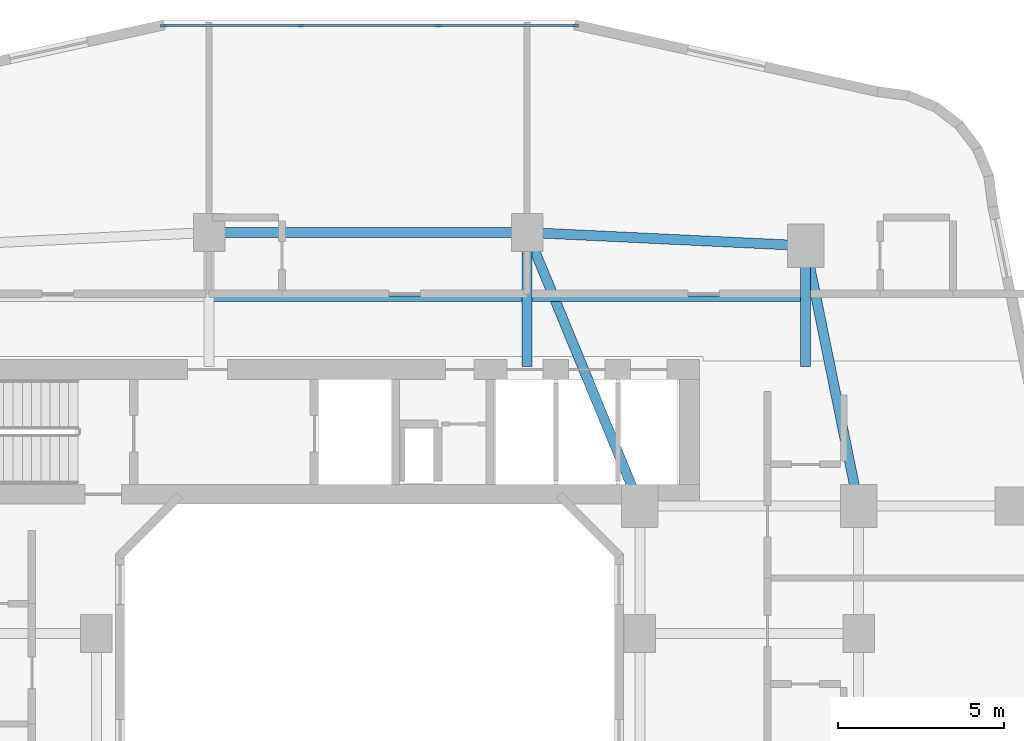
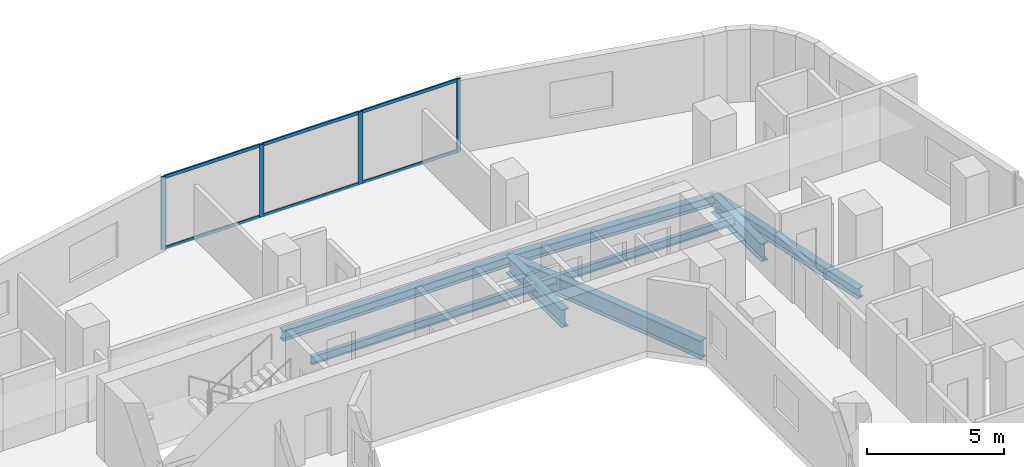
# One storey, part 7 of 27: 10 members, 8 beams, 1 element without a shape of its own.
"""IFC4 building model written with IfcOpenShell, lengths in metres."""

from ifc_helpers import new_model, si_unit, derived_unit, direction, frame, origin, origin_2d, place, context, subcontext, project, spatial, rectangle, i_section, extrude, material, layer, layer_set, material_profile, profile_set, type_object, element, aggregate, save


model = new_model("IFC4")

# Units and contexts
model_context = context("Model", 3, precision=1e-05, world=origin(), true_north=direction((0.0, 1.0)))
body_context = subcontext(model_context, "Body", "Model", "MODEL_VIEW")
ifc_project = project(units=[si_unit("LENGTHUNIT", "METRE"), si_unit("AREAUNIT", "SQUARE_METRE"), si_unit("VOLUMEUNIT", "CUBIC_METRE"), si_unit("PLANEANGLEUNIT", "RADIAN"), si_unit("MASSUNIT", "GRAM", prefix="KILO"), derived_unit("THERMALTRANSMITTANCEUNIT", [(si_unit("POWERUNIT", "WATT"), 1), (si_unit("LENGTHUNIT", "METRE"), -2), (si_unit("THERMODYNAMICTEMPERATUREUNIT", "KELVIN"), -1)])], contexts=[model_context])

# Site, building, storey
site_placement = place(None, origin())
site = spatial("IfcSite", under=ifc_project, at=site_placement, CompositionType="ELEMENT")
building_placement = place(site_placement, origin())
building = spatial("IfcBuilding", under=site, at=building_placement, Name="Kivonza Crest Hotel", CompositionType="ELEMENT")
storey_placement = place(building_placement, frame((0.0, 0.0, 38.0)))
storey = spatial("IfcBuildingStorey", under=building, at=storey_placement, Name="L09", CompositionType="ELEMENT", Elevation=38.0)

# Beams
ifc_material_1 = material(Name="Steel S355", Category="steel")
ifc_material_profile_1 = material_profile(ifc_material_1, i_section(OverallWidth=0.300048828125, OverallDepth=0.449951171875, WebThickness=0.013916015625, FlangeThickness=0.02587890625, FilletRadius=0.027099609375, at=origin_2d()), Name="HEB 450")
ifc_profile_set_1 = profile_set([ifc_material_profile_1], Name="Steel S355")
beam_type_1 = type_object("IfcBeamType", Name="BM-HEB450", PredefinedType="SPANDREL", material=ifc_profile_set_1)
beam_1_placement = place(storey_placement, frame((35.800048828125, 32.35009765625, -0.5048828125), z_axis=(-0.199730733965, 0.979850822273, 0.0), x_axis=(-0.979850822273, -0.199730733965, 0.0)))
element("IfcBeam", 1, at=beam_1_placement, inside=storey, type_object=beam_type_1, Name="Tower T1 L09 perimeter spandrel PNE-NE", PredefinedType="SPANDREL", context=body_context, shape_type="SweptSolid", body=[
    extrude(i_section(OverallWidth=0.300048828125, OverallDepth=0.449951171875, WebThickness=0.013916015625, FlangeThickness=0.02587890625, FilletRadius=0.027099609375, at=origin_2d()), origin(), (0.0, 0.0, 1.0), 8.01123046875),
])
beam_2_placement = place(storey_placement, frame((34.199951171875, 40.199951171875, -0.5048828125), z_axis=(-0.998867283688, 0.047583080799, 0.0), x_axis=(-0.047583080799, -0.998867283688, 0.0)))
element("IfcBeam", 2, at=beam_2_placement, inside=storey, type_object=beam_type_1, Name="Tower T1 L09 perimeter spandrel NE-N2", PredefinedType="SPANDREL", context=body_context, shape_type="SweptSolid", body=[
    extrude(i_section(OverallWidth=0.300048828125, OverallDepth=0.449951171875, WebThickness=0.013916015625, FlangeThickness=0.02587890625, FilletRadius=0.027099609375, at=origin_2d()), origin(), (0.0, 0.0, 1.0), 8.409423828125),
])
beam_3_placement = place(storey_placement, frame((25.800048828125, 40.60009765625, -0.5048828125), z_axis=(-1.0, 0.0, 0.0), x_axis=(0.0, -1.0, 0.0)))
element("IfcBeam", 3, at=beam_3_placement, inside=storey, type_object=beam_type_1, Name="Tower T1 L09 perimeter spandrel N2-N1", PredefinedType="SPANDREL", context=body_context, shape_type="SweptSolid", body=[
    extrude(i_section(OverallWidth=0.300048828125, OverallDepth=0.449951171875, WebThickness=0.013916015625, FlangeThickness=0.02587890625, FilletRadius=0.027099609375, at=origin_2d()), origin(), (0.0, 0.0, 1.0), 9.60009765625),
])
ifc_material_profile_2 = material_profile(ifc_material_1, i_section(OverallWidth=0.300048828125, OverallDepth=0.800048828125, WebThickness=0.017578125, FlangeThickness=0.032958984375, FilletRadius=0.030029296875, at=origin_2d()), Name="HEB 800")
ifc_profile_set_2 = profile_set([ifc_material_profile_2], Name="Steel S355")
beam_type_2 = type_object("IfcBeamType", Name="BM-HEB800", PredefinedType="BEAM", material=ifc_profile_set_2)
beam_4_placement = place(storey_placement, frame((25.800048828125, 40.60009765625, -0.679931640625), z_axis=(0.381022260404, -0.924565864109, 0.0), x_axis=(0.924565864109, 0.381022260404, 0.0)))
element("IfcBeam", 4, at=beam_4_placement, inside=storey, type_object=beam_type_2, Name="Tower T1 L09 primary girder N1-TNE", PredefinedType="BEAM", context=body_context, shape_type="SweptSolid", body=[
    extrude(i_section(OverallWidth=0.300048828125, OverallDepth=0.800048828125, WebThickness=0.017578125, FlangeThickness=0.032958984375, FilletRadius=0.030029296875, at=origin_2d()), origin(), (0.0, 0.0, 1.0), 8.923095703125),
])
beam_5_placement = place(storey_placement, frame((25.800048828125, 40.60009765625, -0.679931640625), z_axis=(0.0, -1.0, 0.0), x_axis=(1.0, 0.0, 0.0)))
element("IfcBeam", 5, at=beam_5_placement, inside=storey, type_object=beam_type_2, Name="Tower T1 L09 radial core girder RN2", PredefinedType="BEAM", context=body_context, shape_type="SweptSolid", body=[
    extrude(i_section(OverallWidth=0.300048828125, OverallDepth=0.800048828125, WebThickness=0.017578125, FlangeThickness=0.032958984375, FilletRadius=0.030029296875, at=origin_2d()), origin(), (0.0, 0.0, 1.0), 4.050048828125),
])
beam_6_placement = place(storey_placement, frame((34.199951171875, 40.199951171875, -0.679931640625), z_axis=(0.0, -1.0, 0.0), x_axis=(1.0, 0.0, 0.0)))
element("IfcBeam", 6, at=beam_6_placement, inside=storey, type_object=beam_type_2, Name="Tower T1 L09 radial core girder RNE", PredefinedType="BEAM", context=body_context, shape_type="SweptSolid", body=[
    extrude(i_section(OverallWidth=0.300048828125, OverallDepth=0.800048828125, WebThickness=0.017578125, FlangeThickness=0.032958984375, FilletRadius=0.030029296875, at=origin_2d()), origin(), (0.0, 0.0, 1.0), 3.64990234375),
])
ifc_material_profile_3 = material_profile(ifc_material_1, i_section(OverallWidth=0.169921875, OverallDepth=0.360107421875, WebThickness=0.008056640625, FlangeThickness=0.0126953125, FilletRadius=0.01806640625, at=origin_2d()), Name="IPE 360")
ifc_profile_set_3 = profile_set([ifc_material_profile_3], Name="Steel S355")
beam_type_3 = type_object("IfcBeamType", Name="BM-IPE360", PredefinedType="JOIST", material=ifc_profile_set_3)
beam_7_placement = place(storey_placement, frame((16.280029296875, 38.60009765625, -0.4599609375), z_axis=(1.0, 0.0, 0.0), x_axis=(0.0, 1.0, 0.0)))
element("IfcBeam", 7, at=beam_7_placement, inside=storey, type_object=beam_type_3, Name="Tower T1 L09 North-Mid floor joist", PredefinedType="JOIST", context=body_context, shape_type="SweptSolid", body=[
    extrude(i_section(OverallWidth=0.169921875, OverallDepth=0.360107421875, WebThickness=0.008056640625, FlangeThickness=0.0126953125, FilletRadius=0.01806640625, at=origin_2d()), origin(), (0.0, 0.0, 1.0), 9.43994140625),
])
beam_8_placement = place(storey_placement, frame((25.8798828125, 38.60009765625, -0.4599609375), z_axis=(1.0, 0.0, 0.0), x_axis=(0.0, 1.0, 0.0)))
element("IfcBeam", 8, at=beam_8_placement, inside=storey, type_object=beam_type_3, Name="Tower T1 L09 North-East floor joist", PredefinedType="JOIST", context=body_context, shape_type="SweptSolid", body=[
    extrude(i_section(OverallWidth=0.169921875, OverallDepth=0.360107421875, WebThickness=0.008056640625, FlangeThickness=0.0126953125, FilletRadius=0.01806640625, at=origin_2d()), origin(), (0.0, 0.0, 1.0), 8.240234375),
])

# Curtain wall, members
ifc_material_2 = material(Name="Anodised bronze aluminium and low-E double glazing", Category="aluminium")
ifc_layer = layer(ifc_material_2, 0.179931640625)
ifc_layer_set = layer_set([ifc_layer], Name="Anodised bronze aluminium and low-E double glazing")
curtain_wall_type = type_object("IfcCurtainWallType", Name="CW-SYS-2", PredefinedType="NOTDEFINED", material=ifc_layer_set)
curtain_wall_placement = place(storey_placement, origin())
curtain_wall = element("IfcCurtainWall", 9, at=curtain_wall_placement, inside=storey, type_object=curtain_wall_type, Name="L09 unitised curtain wall CW-T1-L09-26", PredefinedType="NOTDEFINED")
ifc_material_3 = material(Name="Anodised bronze aluminium", Category="aluminium")
ifc_material_profile_4 = material_profile(ifc_material_3, rectangle(XDim=0.06494140625, YDim=0.179931640625, at=origin_2d()), Name="CW-M 65x180")
ifc_profile_set_4 = profile_set([ifc_material_profile_4], Name="Anodised bronze aluminium")
member_type_1 = type_object("IfcMemberType", Name="CW-MUL-65x180", PredefinedType="MULLION", material=ifc_profile_set_4)
member_1_placement = place(storey_placement, frame((27.255615234375, 46.840087890625, 0.0), z_axis=(0.0, 0.0, 1.0), x_axis=(0.0, -1.0, 0.0)))
member_1 = element("IfcMember", 10, at=member_1_placement, type_object=member_type_1, Name="CW-2 mullion 1", PredefinedType="MULLION", context=body_context, shape_type="SweptSolid", body=[
    extrude(rectangle(XDim=0.06494140625, YDim=0.179931640625, at=origin_2d()), origin(), (0.0, 0.0, 1.0), 3.219970703125),
])
member_2_placement = place(storey_placement, frame((23.12255859375, 46.840087890625, 0.0), z_axis=(0.0, 0.0, 1.0), x_axis=(0.0, -1.0, 0.0)))
member_2 = element("IfcMember", 11, at=member_2_placement, type_object=member_type_1, Name="CW-2 mullion 2", PredefinedType="MULLION", context=body_context, shape_type="SweptSolid", body=[
    extrude(rectangle(XDim=0.06494140625, YDim=0.179931640625, at=origin_2d()), origin(), (0.0, 0.0, 1.0), 3.219970703125),
])
member_3_placement = place(storey_placement, frame((18.957275390625, 46.840087890625, 0.0), z_axis=(0.0, 0.0, 1.0), x_axis=(0.0, -1.0, 0.0)))
member_3 = element("IfcMember", 12, at=member_3_placement, type_object=member_type_1, Name="CW-2 mullion 3", PredefinedType="MULLION", context=body_context, shape_type="SweptSolid", body=[
    extrude(rectangle(XDim=0.06494140625, YDim=0.179931640625, at=origin_2d()), origin(), (0.0, 0.0, 1.0), 3.219970703125),
])
member_4_placement = place(storey_placement, frame((14.824462890625, 46.840087890625, 0.0), z_axis=(0.0, 0.0, 1.0), x_axis=(0.0, -1.0, 0.0)))
member_4 = element("IfcMember", 13, at=member_4_placement, type_object=member_type_1, Name="CW-2 mullion 4", PredefinedType="MULLION", context=body_context, shape_type="SweptSolid", body=[
    extrude(rectangle(XDim=0.06494140625, YDim=0.179931640625, at=origin_2d()), origin(), (0.0, 0.0, 1.0), 3.219970703125),
])
ifc_material_profile_5 = material_profile(ifc_material_3, rectangle(XDim=0.06494140625, YDim=0.139892578125, at=origin_2d()), Name="CW-T 65x140")
ifc_profile_set_5 = profile_set([ifc_material_profile_5], Name="Anodised bronze aluminium")
member_type_2 = type_object("IfcMemberType", Name="CW-TRN-65x140", PredefinedType="USERDEFINED", material=ifc_profile_set_5)
member_5_placement = place(storey_placement, frame((27.222900390625, 46.840087890625, 0.032470703125), z_axis=(-1.0, 0.0, 0.0), x_axis=(0.0, -1.0, 0.0)))
member_5 = element("IfcMember", 14, at=member_5_placement, type_object=member_type_2, Name="CW-2 transom 1.1", ObjectType="TRANSOM", PredefinedType="USERDEFINED", context=body_context, shape_type="SweptSolid", body=[
    extrude(rectangle(XDim=0.06494140625, YDim=0.139892578125, at=origin_2d()), origin(), (0.0, 0.0, 1.0), 4.067626953125),
])
member_6_placement = place(storey_placement, frame((27.222900390625, 46.840087890625, 3.1875), z_axis=(-1.0, 0.0, 0.0), x_axis=(0.0, -1.0, 0.0)))
member_6 = element("IfcMember", 15, at=member_6_placement, type_object=member_type_2, Name="CW-2 transom 1.2", ObjectType="TRANSOM", PredefinedType="USERDEFINED", context=body_context, shape_type="SweptSolid", body=[
    extrude(rectangle(XDim=0.06494140625, YDim=0.139892578125, at=origin_2d()), origin(), (0.0, 0.0, 1.0), 4.067626953125),
])
member_7_placement = place(storey_placement, frame((23.090087890625, 46.840087890625, 0.032470703125), z_axis=(-1.0, 0.0, 0.0), x_axis=(0.0, -1.0, 0.0)))
member_7 = element("IfcMember", 16, at=member_7_placement, type_object=member_type_2, Name="CW-2 transom 2.1", ObjectType="TRANSOM", PredefinedType="USERDEFINED", context=body_context, shape_type="SweptSolid", body=[
    extrude(rectangle(XDim=0.06494140625, YDim=0.139892578125, at=origin_2d()), origin(), (0.0, 0.0, 1.0), 4.100341796875),
])
member_8_placement = place(storey_placement, frame((23.090087890625, 46.840087890625, 3.1875), z_axis=(-1.0, 0.0, 0.0), x_axis=(0.0, -1.0, 0.0)))
member_8 = element("IfcMember", 17, at=member_8_placement, type_object=member_type_2, Name="CW-2 transom 2.2", ObjectType="TRANSOM", PredefinedType="USERDEFINED", context=body_context, shape_type="SweptSolid", body=[
    extrude(rectangle(XDim=0.06494140625, YDim=0.139892578125, at=origin_2d()), origin(), (0.0, 0.0, 1.0), 4.100341796875),
])
member_9_placement = place(storey_placement, frame((18.9248046875, 46.840087890625, 0.032470703125), z_axis=(-1.0, 0.0, 0.0), x_axis=(0.0, -1.0, 0.0)))
member_9 = element("IfcMember", 18, at=member_9_placement, type_object=member_type_2, Name="CW-2 transom 3.1", ObjectType="TRANSOM", PredefinedType="USERDEFINED", context=body_context, shape_type="SweptSolid", body=[
    extrude(rectangle(XDim=0.06494140625, YDim=0.139892578125, at=origin_2d()), origin(), (0.0, 0.0, 1.0), 4.06787109375),
])
member_10_placement = place(storey_placement, frame((18.9248046875, 46.840087890625, 3.1875), z_axis=(-1.0, 0.0, 0.0), x_axis=(0.0, -1.0, 0.0)))
member_10 = element("IfcMember", 19, at=member_10_placement, type_object=member_type_2, Name="CW-2 transom 3.2", ObjectType="TRANSOM", PredefinedType="USERDEFINED", context=body_context, shape_type="SweptSolid", body=[
    extrude(rectangle(XDim=0.06494140625, YDim=0.139892578125, at=origin_2d()), origin(), (0.0, 0.0, 1.0), 4.06787109375),
])
aggregate(curtain_wall, [member_1, member_2, member_3, member_4, member_5, member_6, member_7, member_8, member_9, member_10])

save(model, "model.ifc")
